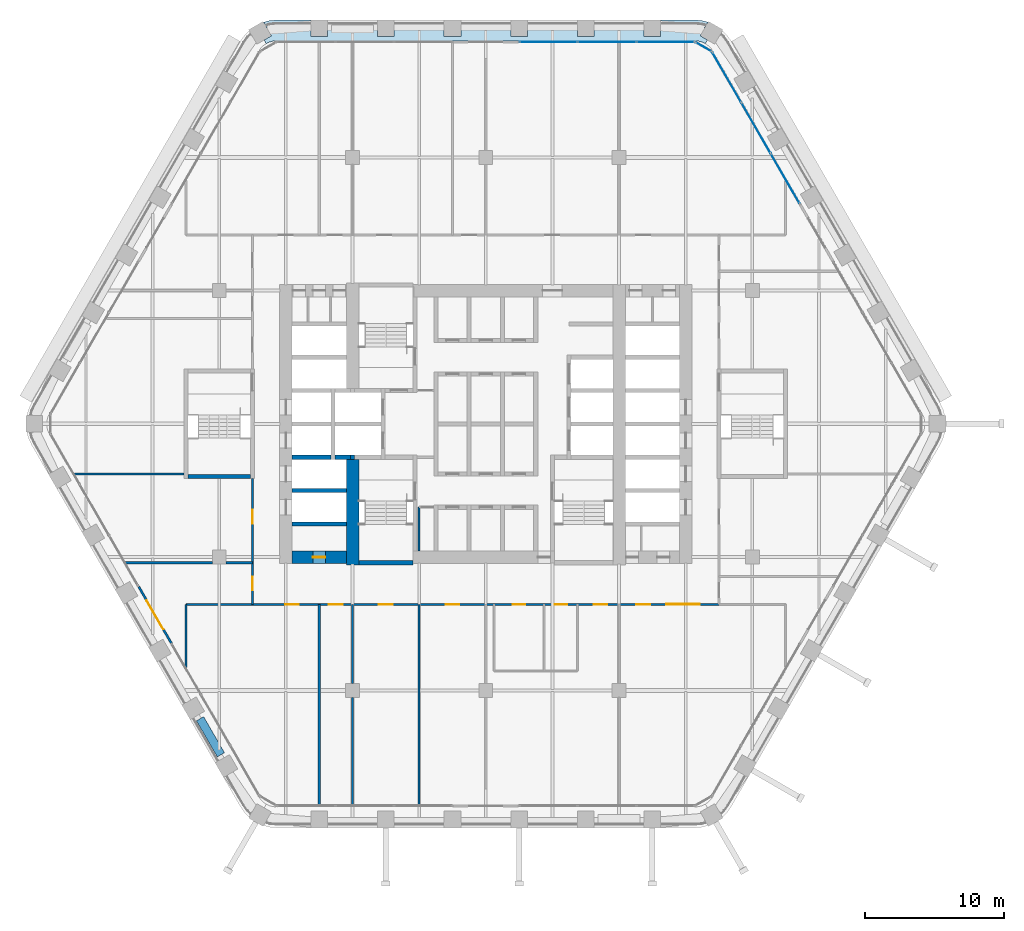
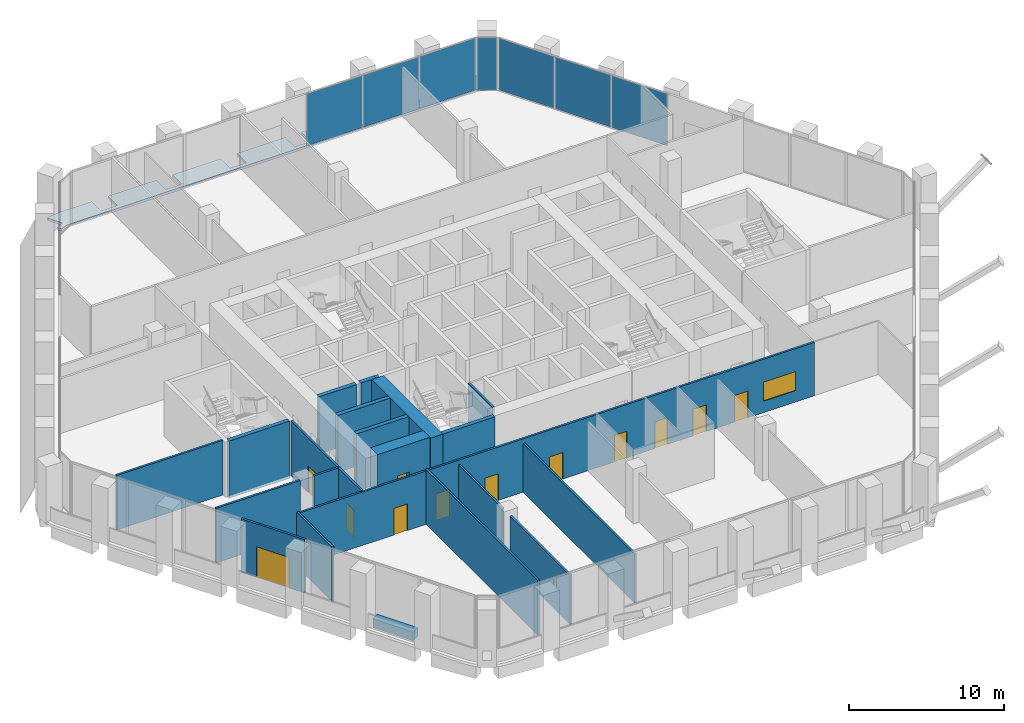
# One storey, part 13 of 24: 22 walls, 12 doors, 7 plates, 1 slab, 1 window, 13 openings, 3 elements without a shape of their own.
"""IFC4 building model written with IfcOpenShell, lengths in metres."""

from ifc_helpers import new_model, si_unit, direction, frame, frame_2d, origin, origin_2d, place, context, subcontext, project, spatial, polyline, rectangle, outline, extrude, material, layer, layer_set, type_object, element, fill, aggregate, save


model = new_model("IFC4")

# Units and contexts
model_context = context("Model", 3, precision=1e-05, world=origin(), true_north=direction((0.0, 1.0)))
body_context = subcontext(model_context, "Body", "Model", "MODEL_VIEW")
ifc_project = project(units=[si_unit("LENGTHUNIT", "METRE"), si_unit("AREAUNIT", "SQUARE_METRE"), si_unit("VOLUMEUNIT", "CUBIC_METRE"), si_unit("PLANEANGLEUNIT", "RADIAN"), si_unit("MASSUNIT", "GRAM", prefix="KILO")], contexts=[model_context])

# Site, building, storey
site_placement = place(None, origin())
site = spatial("IfcSite", under=ifc_project, at=site_placement, CompositionType="ELEMENT")
building_placement = place(site_placement, origin())
building = spatial("IfcBuilding", under=site, at=building_placement, Name="Kolab Exchange Tower", CompositionType="ELEMENT")
storey_placement = place(building_placement, frame((0.0, 0.0, 86.89990234375)))
storey = spatial("IfcBuildingStorey", under=building, at=storey_placement, Name="L16", CompositionType="ELEMENT", Elevation=86.89990234375)

# Slab
ifc_material_1 = material(Name="Concrete C35/45", Category="concrete")
ifc_layer_1 = layer(ifc_material_1, 0.199951171875)
ifc_layer_set_1 = layer_set([ifc_layer_1], Name="Concrete C35/45")
slab_type = type_object("IfcSlabType", Name="LOGGIA SLAB 200", PredefinedType="FLOOR", material=ifc_layer_set_1)
slab_placement = place(storey_placement, frame((0.0, 0.0, -0.199951171875)))
element("IfcSlab", 1, at=slab_placement, inside=storey, type_object=slab_type, Name="slab/L16/loggia/0-0", PredefinedType="FLOOR", context=body_context, shape_type="SweptSolid", body=[
    extrude(outline(polyline([(15.81787109375, 27.3974609375), (15.968017578125, 27.6572265625), (15.4482421875, 27.957275390625), (16.014892578125, 28.938720703125), (15.5888671875, 29.052978515625), (15.06787109375, 29.098388671875), (12.60009765625, 29.098388671875), (12.60009765625, 27.8984375), (11.39990234375, 27.8984375), (11.39990234375, 29.098388671875), (7.800048828125, 29.098388671875), (7.800048828125, 27.8984375), (6.60009765625, 27.8984375), (6.60009765625, 29.098388671875), (3.0, 29.098388671875), (3.0, 27.8984375), (1.800048828125, 27.8984375), (1.800048828125, 29.098388671875), (-1.800048828125, 29.098388671875), (-1.800048828125, 27.8984375), (-3.0, 27.8984375), (-3.0, 29.098388671875), (-6.60009765625, 29.098388671875), (-6.60009765625, 27.8984375), (-7.800048828125, 27.8984375), (-7.800048828125, 29.098388671875), (-11.39990234375, 29.098388671875), (-11.39990234375, 27.8984375), (-12.60009765625, 27.8984375), (-12.60009765625, 29.098388671875), (-15.06787109375, 29.098388671875), (-15.5888671875, 29.052978515625), (-16.014892578125, 28.938720703125), (-15.4482421875, 27.957275390625), (-15.968017578125, 27.6572265625), (-15.81787109375, 27.3974609375), (-15.5810546875, 27.508056640625), (-15.328369140625, 27.57568359375), (-15.06787109375, 27.598388671875), (15.06787109375, 27.598388671875), (15.328369140625, 27.57568359375), (15.5810546875, 27.508056640625), (15.81787109375, 27.3974609375)])), origin(), (0.0, 0.0, 1.0), 0.199951171875),
])

# Curtain wall, plates
ifc_material_2 = material(Name="Aluminium EN AW-6063 T6", Category="aluminium")
curtain_wall_type = type_object("IfcCurtainWallType", Name="UNITISED LOWER MID ZONE CURTAIN WALL", PredefinedType="NOTDEFINED", material=ifc_material_2)
curtain_wall_1_placement = place(storey_placement, origin())
curtain_wall_1 = element("IfcCurtainWall", 2, at=curtain_wall_1_placement, inside=storey, type_object=curtain_wall_type, Name="cw/L16/F1-2", PredefinedType="NOTDEFINED")
ifc_material_3 = material(Name="Clear insulated glazing unit", Category="glass")
ifc_layer_2 = layer(ifc_material_3, 0.02587890625)
ifc_layer_set_2 = layer_set([ifc_layer_2], Name="Clear insulated glazing unit")
plate_type = type_object("IfcPlateType", Name="UNITISED LOWER MID ZONE GLASS PANEL 26", PredefinedType="CURTAIN_PANEL", material=ifc_layer_set_2)
plate_1_placement = place(storey_placement, frame((4.5263671875, 27.5185546875, 0.06005859375), z_axis=(0.0, 0.0, 1.0), x_axis=(1.0, 0.0, 0.0)))
plate_1 = element("IfcPlate", 3, at=plate_1_placement, type_object=plate_type, Name="CW2 panel 1.1", PredefinedType="CURTAIN_PANEL", context=body_context, shape_type="SweptSolid", body=[
    extrude(rectangle(XDim=4.132568359375, YDim=0.02587890625, at=origin_2d()), origin(), (0.0, 0.0, 1.0), 4.080078125),
])
plate_2_placement = place(storey_placement, frame((8.73388671875, 27.5185546875, 0.06005859375), z_axis=(0.0, 0.0, 1.0), x_axis=(1.0, 0.0, 0.0)))
plate_2 = element("IfcPlate", 4, at=plate_2_placement, type_object=plate_type, Name="CW2 panel 2.1", PredefinedType="CURTAIN_PANEL", context=body_context, shape_type="SweptSolid", body=[
    extrude(rectangle(XDim=4.16259765625, YDim=0.02587890625, at=origin_2d()), origin(), (0.0, 0.0, 1.0), 4.080078125),
])
plate_3_placement = place(storey_placement, frame((12.941650390625, 27.5185546875, 0.06005859375), z_axis=(0.0, 0.0, 1.0), x_axis=(1.0, 0.0, 0.0)))
plate_3 = element("IfcPlate", 5, at=plate_3_placement, type_object=plate_type, Name="CW2 panel 3.1", PredefinedType="CURTAIN_PANEL", context=body_context, shape_type="SweptSolid", body=[
    extrude(rectangle(XDim=4.132568359375, YDim=0.02587890625, at=origin_2d()), origin(), (0.0, 0.0, 1.0), 4.080078125),
])
aggregate(curtain_wall_1, [plate_1, plate_2, plate_3])

curtain_wall_2_placement = place(storey_placement, origin())
curtain_wall_2 = element("IfcCurtainWall", 6, at=curtain_wall_2_placement, inside=storey, type_object=curtain_wall_type, Name="cw/L16/F2-1", PredefinedType="NOTDEFINED")
plate_4_placement = place(storey_placement, frame((17.36083984375, 24.967041015625, 0.06005859375), z_axis=(0.0, 0.0, 1.0), x_axis=(0.500000017564, -0.866025393644, 0.0)))
plate_4 = element("IfcPlate", 7, at=plate_4_placement, type_object=plate_type, Name="CW2 panel 1.1", PredefinedType="CURTAIN_PANEL", context=body_context, shape_type="SweptSolid", body=[
    extrude(rectangle(XDim=4.132568359375, YDim=0.02587890625, at=origin_2d()), origin(), (0.0, 0.0, 1.0), 4.080078125),
])
plate_5_placement = place(storey_placement, frame((19.464599609375, 21.322998046875, 0.06005859375), z_axis=(0.0, 0.0, 1.0), x_axis=(0.500000017564, -0.866025393644, 0.0)))
plate_5 = element("IfcPlate", 8, at=plate_5_placement, type_object=plate_type, Name="CW2 panel 2.1", PredefinedType="CURTAIN_PANEL", context=body_context, shape_type="SweptSolid", body=[
    extrude(rectangle(XDim=4.16259765625, YDim=0.02587890625, at=origin_2d()), origin(), (0.0, 0.0, 1.0), 4.080078125),
])
plate_6_placement = place(storey_placement, frame((21.568603515625, 17.67919921875, 0.06005859375), z_axis=(0.0, 0.0, 1.0), x_axis=(0.500000017564, -0.866025393644, 0.0)))
plate_6 = element("IfcPlate", 9, at=plate_6_placement, type_object=plate_type, Name="CW2 panel 3.1", PredefinedType="CURTAIN_PANEL", context=body_context, shape_type="SweptSolid", body=[
    extrude(rectangle(XDim=4.132568359375, YDim=0.02587890625, at=origin_2d()), origin(), (0.0, 0.0, 1.0), 4.080078125),
])
aggregate(curtain_wall_2, [plate_4, plate_5, plate_6])

# Curtain wall, plate
curtain_wall_3_placement = place(storey_placement, origin())
curtain_wall_3 = element("IfcCurtainWall", 10, at=curtain_wall_3_placement, inside=storey, type_object=curtain_wall_type, Name="cw/L16/F1F2-corner", PredefinedType="NOTDEFINED")
plate_7_placement = place(storey_placement, frame((15.682861328125, 27.16357421875, 0.06005859375), z_axis=(0.0, 0.0, 1.0), x_axis=(0.866025390869, -0.50000002237, 0.0)))
plate_7 = element("IfcPlate", 11, at=plate_7_placement, type_object=plate_type, Name="CW2 panel 1.1", PredefinedType="CURTAIN_PANEL", context=body_context, shape_type="SweptSolid", body=[
    extrude(rectangle(XDim=1.300048828125, YDim=0.02587890625, at=origin_2d()), origin(), (0.0, 0.0, 1.0), 4.080078125),
])
aggregate(curtain_wall_3, [plate_7])

# Wall, opening, door
ifc_material_4 = material(Name="Concrete C70/85", Category="concrete")
ifc_layer_3 = layer(ifc_material_4, 0.89990234375)
ifc_layer_set_3 = layer_set([ifc_layer_3], Name="Concrete C70/85")
wall_type_1 = type_object("IfcWallType", Name="CORE WALL 900 C70/85", PredefinedType="SHEAR", material=ifc_layer_set_3)
wall_1_placement = place(storey_placement, frame((-13.949951171875, -9.60009765625, -0.199951171875), z_axis=(0.0, 0.0, 1.0), x_axis=(1.0, 0.0, 0.0)))
wall_1 = element("IfcWall", 12, at=wall_1_placement, inside=storey, type_object=wall_type_1, Name="wall/L16/core/002", PredefinedType="SHEAR", context=body_context, shape_type="SweptSolid", body=[
    extrude(rectangle(XDim=3.89990234375, YDim=0.89990234375, at=frame_2d((1.949951171875, 0.0))), origin(), (0.0, 0.0, 1.0), 4.5),
])
opening_1_placement = place(wall_1_placement, frame((1.5, 0.0, 0.199951171875)))
opening_1 = element("IfcOpeningElement", 13, at=opening_1_placement, cuts=wall_1, Name="Opening D6-221", PredefinedType="OPENING", context=body_context, shape_type="SweptSolid", body=[
    extrude(rectangle(XDim=0.89990234375, YDim=2.10009765625, at=frame_2d((0.449951171875, 1.050048828125))), frame((0.0, 0.4599609375, 0.0), z_axis=(0.0, -1.0, 0.0), x_axis=(1.0, 0.0, 0.0)), (0.0, 0.0, 1.0), 0.919921875),
])
ifc_material_5 = material(Name="Steel S235", Category="steel")
door_type_1 = type_object("IfcDoorType", Name="CORE DOOR 900 EI 120", OperationType="SINGLE_SWING_LEFT", PredefinedType="DOOR", material=ifc_material_5)
door_1_placement = place(opening_1_placement, origin())
door_1 = element("IfcDoor", 14, at=door_1_placement, inside=storey, type_object=door_type_1, Name="Service room door", OperationType="SINGLE_SWING_LEFT", OverallHeight=2.10009765625, OverallWidth=0.89990234375, PredefinedType="DOOR", context=body_context, shape_type="SweptSolid", body=[
    extrude(rectangle(XDim=0.89990234375, YDim=2.10009765625, at=frame_2d((0.449951171875, 1.050048828125))), frame((0.0, 0.02490234375, 0.0), z_axis=(0.0, -1.0, 0.0), x_axis=(1.0, 0.0, 0.0)), (0.0, 0.0, 1.0), 0.050048828125),
])
fill(opening_1, door_1)

# Wall
wall_2_placement = place(storey_placement, frame((-9.60009765625, -10.14990234375, -0.199951171875), z_axis=(0.0, 0.0, 1.0), x_axis=(0.0, 1.0, 0.0)))
element("IfcWall", 15, at=wall_2_placement, inside=storey, type_object=wall_type_1, Name="wall/L16/core/059", PredefinedType="SHEAR", context=body_context, shape_type="SweptSolid", body=[
    extrude(rectangle(XDim=7.599853515625, YDim=0.89990234375, at=frame_2d((3.7998046875, 0.0))), origin(), (0.0, 0.0, 1.0), 4.5),
])

# Wall, opening, door
ifc_layer_4 = layer(ifc_material_2, 0.159912109375)
ifc_layer_set_4 = layer_set([ifc_layer_4], Name="Aluminium EN AW-6063 T6")
wall_type_2 = type_object("IfcWallType", Name="DOOR SURROUND WALL 160 ALUMINIUM FRAMED", PredefinedType="PARTITIONING", material=ifc_layer_set_4)
wall_3_placement = place(storey_placement, frame((-22.646728515625, -15.811767578125, 0.0), z_axis=(0.0, 0.0, 1.0), x_axis=(-0.499978080042, 0.866038058908, 0.0)))
wall_3 = element("IfcWall", 16, at=wall_3_placement, inside=storey, type_object=wall_type_2, Name="Door surround wall", PredefinedType="PARTITIONING", context=body_context, shape_type="SweptSolid", body=[
    extrude(rectangle(XDim=4.739990234375, YDim=0.159912109375, at=frame_2d((2.3701171875, 0.0))), origin(), (0.0, 0.0, 1.0), 4.2001953125),
])
opening_2_placement = place(wall_3_placement, frame((1.169921875, 0.0, 0.0)))
opening_2 = element("IfcOpeningElement", 17, at=opening_2_placement, cuts=wall_3, Name="Opening GD1-047", PredefinedType="OPENING", context=body_context, shape_type="SweptSolid", body=[
    extrude(rectangle(XDim=2.39990234375, YDim=2.39990234375, at=frame_2d((1.199951171875, 1.199951171875))), frame((0.0, 0.08984375, 0.0), z_axis=(0.0, -1.0, 0.0), x_axis=(1.0, 0.0, 0.0)), (0.0, 0.0, 1.0), 0.179931640625),
])
door_type_2 = type_object("IfcDoorType", Name="LOGGIA SLIDING GLASS DOOR 2400 X 2400", OperationType="DOUBLE_DOOR_SINGLE_SWING", PredefinedType="DOOR", material=ifc_material_2)
door_2_placement = place(opening_2_placement, origin())
door_2 = element("IfcDoor", 18, at=door_2_placement, inside=storey, type_object=door_type_2, Name="Loggia door", OperationType="DOUBLE_DOOR_SLIDING", OverallHeight=2.39990234375, OverallWidth=2.39990234375, PredefinedType="DOOR", context=body_context, shape_type="SweptSolid", body=[
    extrude(rectangle(XDim=2.39990234375, YDim=2.39990234375, at=frame_2d((1.199951171875, 1.199951171875))), frame((0.0, 0.02490234375, 0.0), z_axis=(0.0, -1.0, 0.0), x_axis=(1.0, 0.0, 0.0)), (0.0, 0.0, 1.0), 0.050048828125),
])
fill(opening_2, door_2)

# Walls
ifc_material_6 = material(Name="Concrete C50/60", Category="concrete")
ifc_layer_5 = layer(ifc_material_6, 0.300048828125)
ifc_layer_set_5 = layer_set([ifc_layer_5], Name="Concrete C50/60")
wall_type_3 = type_object("IfcWallType", Name="LIFT SHAFT WALL 300 C50/60", PredefinedType="STANDARD", material=ifc_layer_set_5)
for number, where, z_axis, x_axis, name in (
    (19, (-13.949951171875, -7.199951171875, -0.199951171875), (0.0, 0.0, 1.0), (1.0, 0.0, 0.0), "wall/L16/core/005"),
    (20, (-13.949951171875, -4.800048828125, -0.199951171875), (0.0, 0.0, 1.0), (1.0, 0.0, 0.0), "wall/L16/core/010"),
):
    element("IfcWall", number, at=place(storey_placement, frame(where, z_axis=z_axis, x_axis=x_axis)), inside=storey, type_object=wall_type_3, Name=name, PredefinedType="STANDARD", context=body_context, shape_type="SweptSolid", body=[
        extrude(rectangle(XDim=3.89990234375, YDim=0.300048828125, at=frame_2d((1.949951171875, 0.0))), origin(), (0.0, 0.0, 1.0), 4.5),
    ])
wall_4_placement = place(storey_placement, frame((-13.949951171875, -2.39990234375, -0.199951171875), z_axis=(0.0, 0.0, 1.0), x_axis=(1.0, 0.0, 0.0)))
element("IfcWall", 21, at=wall_4_placement, inside=storey, type_object=wall_type_3, Name="wall/L16/core/017", PredefinedType="STANDARD", context=body_context, shape_type="SweptSolid", body=[
    extrude(rectangle(XDim=2.800048828125, YDim=0.300048828125, at=frame_2d((1.39990234375, 0.0))), origin(), (0.0, 0.0, 1.0), 4.5),
])
wall_5_placement = place(storey_placement, frame((-10.85009765625, -2.39990234375, -0.199951171875), z_axis=(0.0, 0.0, 1.0), x_axis=(1.0, 0.0, 0.0)))
element("IfcWall", 22, at=wall_5_placement, inside=storey, type_object=wall_type_3, Name="wall/L16/core/018", PredefinedType="STANDARD", context=body_context, shape_type="SweptSolid", body=[
    extrude(rectangle(XDim=1.10009765625, YDim=0.300048828125, at=frame_2d((0.550048828125, 0.0))), origin(), (0.0, 0.0, 1.0), 4.5),
])
ifc_material_7 = material(Name="Gypsum board", Category="gypsum")
ifc_layer_6 = layer(ifc_material_7, 0.14990234375)
ifc_layer_set_6 = layer_set([ifc_layer_6], Name="Gypsum board")
wall_type_4 = type_object("IfcWallType", Name="PARTITION 150 FIRE-RATED", PredefinedType="PARTITIONING", material=ifc_layer_set_6)
wall_6_placement = place(storey_placement, frame((-4.800048828125, -27.428466796875, 0.0), z_axis=(0.0, 0.0, 1.0), x_axis=(0.0, 1.0, 0.0)))
element("IfcWall", 23, at=wall_6_placement, inside=storey, type_object=wall_type_4, Name="Partition 018", PredefinedType="PARTITIONING", context=body_context, shape_type="SweptSolid", body=[
    extrude(rectangle(XDim=14.428466796875, YDim=0.14990234375, at=frame_2d((7.21435546875, 0.0))), origin(), (0.0, 0.0, 1.0), 3.843017578125),
])
wall_7_placement = place(storey_placement, frame((-4.800048828125, -9.14990234375, 0.0), z_axis=(0.0, 0.0, 1.0), x_axis=(0.0, 1.0, 0.0)))
element("IfcWall", 24, at=wall_7_placement, inside=storey, type_object=wall_type_4, Name="Partition 019", PredefinedType="PARTITIONING", context=body_context, shape_type="SweptSolid", body=[
    extrude(rectangle(XDim=3.14990234375, YDim=0.14990234375, at=frame_2d((1.574951171875, 0.0))), origin(), (0.0, 0.0, 1.0), 4.300048828125),
])
wall_8_placement = place(storey_placement, frame((-9.60009765625, -27.428466796875, 0.0), z_axis=(0.0, 0.0, 1.0), x_axis=(0.0, 1.0, 0.0)))
element("IfcWall", 25, at=wall_8_placement, inside=storey, type_object=wall_type_4, Name="Partition 022", PredefinedType="PARTITIONING", context=body_context, shape_type="SweptSolid", body=[
    extrude(rectangle(XDim=7.728515625, YDim=0.14990234375, at=frame_2d((3.8642578125, 0.0))), origin(), (0.0, 0.0, 1.0), 3.843017578125),
])
wall_9_placement = place(storey_placement, frame((-9.60009765625, -18.699951171875, 0.0), z_axis=(0.0, 0.0, 1.0), x_axis=(0.0, 1.0, 0.0)))
element("IfcWall", 26, at=wall_9_placement, inside=storey, type_object=wall_type_4, Name="Partition 023", PredefinedType="PARTITIONING", context=body_context, shape_type="SweptSolid", body=[
    extrude(rectangle(XDim=5.699951171875, YDim=0.14990234375, at=frame_2d((2.85009765625, 0.0))), origin(), (0.0, 0.0, 1.0), 3.843017578125),
])
wall_10_placement = place(storey_placement, frame((-12.0, -27.428466796875, 0.0), z_axis=(0.0, 0.0, 1.0), x_axis=(0.0, 1.0, 0.0)))
element("IfcWall", 27, at=wall_10_placement, inside=storey, type_object=wall_type_4, Name="Partition 025", PredefinedType="PARTITIONING", context=body_context, shape_type="SweptSolid", body=[
    extrude(rectangle(XDim=14.428466796875, YDim=0.14990234375, at=frame_2d((7.21435546875, 0.0))), origin(), (0.0, 0.0, 1.0), 4.300048828125),
])

# Wall, openings, doors
wall_11_placement = place(storey_placement, frame((-16.800048828125, -13.0, 0.0), z_axis=(0.0, 0.0, 1.0), x_axis=(0.0, 1.0, 0.0)))
wall_11 = element("IfcWall", 28, at=wall_11_placement, inside=storey, type_object=wall_type_4, Name="Partition 028", PredefinedType="PARTITIONING", context=body_context, shape_type="SweptSolid", body=[
    extrude(rectangle(XDim=9.050048828125, YDim=0.14990234375, at=frame_2d((4.52490234375, 0.0))), origin(), (0.0, 0.0, 1.0), 4.300048828125),
])
opening_3_placement = place(wall_11_placement, frame((1.0, 0.0, 0.0)))
opening_3 = element("IfcOpeningElement", 29, at=opening_3_placement, cuts=wall_11, Name="Opening D1-216", PredefinedType="OPENING", context=body_context, shape_type="SweptSolid", body=[
    extrude(rectangle(XDim=1.0, YDim=2.10009765625, at=frame_2d((0.5, 1.050048828125))), frame((0.0, 0.0849609375, 0.0), z_axis=(0.0, -1.0, 0.0), x_axis=(1.0, 0.0, 0.0)), (0.0, 0.0, 1.0), 0.169921875),
])
opening_4_placement = place(wall_11_placement, frame((5.800048828125, 0.0, 0.0)))
opening_4 = element("IfcOpeningElement", 30, at=opening_4_placement, cuts=wall_11, Name="Opening D1-217", PredefinedType="OPENING", context=body_context, shape_type="SweptSolid", body=[
    extrude(rectangle(XDim=1.0, YDim=2.10009765625, at=frame_2d((0.5, 1.050048828125))), frame((0.0, 0.0849609375, 0.0), z_axis=(0.0, -1.0, 0.0), x_axis=(1.0, 0.0, 0.0)), (0.0, 0.0, 1.0), 0.169921875),
])
door_type_3 = type_object("IfcDoorType", Name="FLUSH DOOR 1000 FD60", OperationType="SINGLE_SWING_LEFT", PredefinedType="DOOR", material=ifc_material_5)
door_3_placement = place(opening_3_placement, origin())
door_3 = element("IfcDoor", 31, at=door_3_placement, inside=storey, type_object=door_type_3, Name="Door L16-064", OperationType="SINGLE_SWING_LEFT", OverallHeight=2.10009765625, OverallWidth=1.0, PredefinedType="DOOR", context=body_context, shape_type="SweptSolid", body=[
    extrude(rectangle(XDim=1.0, YDim=2.10009765625, at=frame_2d((0.5, 1.050048828125))), frame((0.0, 0.02490234375, 0.0), z_axis=(0.0, -1.0, 0.0), x_axis=(1.0, 0.0, 0.0)), (0.0, 0.0, 1.0), 0.050048828125),
])
fill(opening_3, door_3)
door_4_placement = place(opening_4_placement, origin())
door_4 = element("IfcDoor", 32, at=door_4_placement, inside=storey, type_object=door_type_3, Name="Door L16-065", OperationType="SINGLE_SWING_RIGHT", OverallHeight=2.10009765625, OverallWidth=1.0, PredefinedType="DOOR", context=body_context, shape_type="SweptSolid", body=[
    extrude(rectangle(XDim=1.0, YDim=2.10009765625, at=frame_2d((0.5, 1.050048828125))), frame((0.0, 0.02490234375, 0.0), z_axis=(0.0, -1.0, 0.0), x_axis=(1.0, 0.0, 0.0)), (0.0, 0.0, 1.0), 0.050048828125),
])
fill(opening_4, door_4)

# Wall
wall_12_placement = place(storey_placement, frame((-21.60009765625, -17.544677734375, 0.0), z_axis=(0.0, 0.0, 1.0), x_axis=(0.0, 1.0, 0.0)))
element("IfcWall", 33, at=wall_12_placement, inside=storey, type_object=wall_type_4, Name="Partition 030", PredefinedType="PARTITIONING", context=body_context, shape_type="SweptSolid", body=[
    extrude(rectangle(XDim=4.544677734375, YDim=0.14990234375, at=frame_2d((2.2724609375, 0.0))), origin(), (0.0, 0.0, 1.0), 4.300048828125),
])

# Wall, openings, doors, window
wall_13_placement = place(storey_placement, frame((-21.60009765625, -13.0, 0.0), z_axis=(0.0, 0.0, 1.0), x_axis=(1.0, 0.0, 0.0)))
wall_13 = element("IfcWall", 34, at=wall_13_placement, inside=storey, type_object=wall_type_4, Name="Partition 034", PredefinedType="PARTITIONING", context=body_context, shape_type="SweptSolid", body=[
    extrude(rectangle(XDim=38.400146484375, YDim=0.14990234375, at=frame_2d((19.2001953125, 0.0))), origin(), (0.0, 0.0, 1.0), 4.2001953125),
])
opening_5_placement = place(wall_13_placement, frame((7.135009765625, 0.0, 0.0)))
opening_5 = element("IfcOpeningElement", 35, at=opening_5_placement, cuts=wall_13, Name="Opening D1-229", PredefinedType="OPENING", context=body_context, shape_type="SweptSolid", body=[
    extrude(rectangle(XDim=1.0, YDim=2.10009765625, at=frame_2d((0.5, 1.050048828125))), frame((0.0, 0.0849609375, 0.0), z_axis=(0.0, -1.0, 0.0), x_axis=(1.0, 0.0, 0.0)), (0.0, 0.0, 1.0), 0.169921875),
])
opening_6_placement = place(wall_13_placement, frame((10.300048828125, 0.0, 0.0)))
opening_6 = element("IfcOpeningElement", 36, at=opening_6_placement, cuts=wall_13, Name="Opening D1-230", PredefinedType="OPENING", context=body_context, shape_type="SweptSolid", body=[
    extrude(rectangle(XDim=1.0, YDim=2.10009765625, at=frame_2d((0.5, 1.050048828125))), frame((0.0, 0.0849609375, 0.0), z_axis=(0.0, -1.0, 0.0), x_axis=(1.0, 0.0, 0.0)), (0.0, 0.0, 1.0), 0.169921875),
])
opening_7_placement = place(wall_13_placement, frame((13.89990234375, 0.0, 0.0)))
opening_7 = element("IfcOpeningElement", 37, at=opening_7_placement, cuts=wall_13, Name="Opening D1-231", PredefinedType="OPENING", context=body_context, shape_type="SweptSolid", body=[
    extrude(rectangle(XDim=1.0, YDim=2.10009765625, at=frame_2d((0.5, 1.050048828125))), frame((0.0, 0.0849609375, 0.0), z_axis=(0.0, -1.0, 0.0), x_axis=(1.0, 0.0, 0.0)), (0.0, 0.0, 1.0), 0.169921875),
])
opening_8_placement = place(wall_13_placement, frame((18.699951171875, 0.0, 0.0)))
opening_8 = element("IfcOpeningElement", 38, at=opening_8_placement, cuts=wall_13, Name="Opening D1-232", PredefinedType="OPENING", context=body_context, shape_type="SweptSolid", body=[
    extrude(rectangle(XDim=1.0, YDim=2.10009765625, at=frame_2d((0.5, 1.050048828125))), frame((0.0, 0.0849609375, 0.0), z_axis=(0.0, -1.0, 0.0), x_axis=(1.0, 0.0, 0.0)), (0.0, 0.0, 1.0), 0.169921875),
])
opening_9_placement = place(wall_13_placement, frame((29.364990234375, 0.0, 0.0)))
opening_9 = element("IfcOpeningElement", 39, at=opening_9_placement, cuts=wall_13, Name="Opening D1-233", PredefinedType="OPENING", context=body_context, shape_type="SweptSolid", body=[
    extrude(rectangle(XDim=1.0, YDim=2.10009765625, at=frame_2d((0.5, 1.050048828125))), frame((0.0, 0.0849609375, 0.0), z_axis=(0.0, -1.0, 0.0), x_axis=(1.0, 0.0, 0.0)), (0.0, 0.0, 1.0), 0.169921875),
])
opening_10_placement = place(wall_13_placement, frame((32.445068359375, 0.0, 0.0)))
opening_10 = element("IfcOpeningElement", 40, at=opening_10_placement, cuts=wall_13, Name="Opening D1-234", PredefinedType="OPENING", context=body_context, shape_type="SweptSolid", body=[
    extrude(rectangle(XDim=1.0, YDim=2.10009765625, at=frame_2d((0.5, 1.050048828125))), frame((0.0, 0.0849609375, 0.0), z_axis=(0.0, -1.0, 0.0), x_axis=(1.0, 0.0, 0.0)), (0.0, 0.0, 1.0), 0.169921875),
])
opening_11_placement = place(wall_13_placement, frame((23.550048828125, 0.0, 0.0)))
opening_11 = element("IfcOpeningElement", 41, at=opening_11_placement, cuts=wall_13, Name="Opening D3-021", PredefinedType="OPENING", context=body_context, shape_type="SweptSolid", body=[
    extrude(rectangle(XDim=0.89990234375, YDim=2.10009765625, at=frame_2d((0.449951171875, 1.050048828125))), frame((0.0, 0.0849609375, 0.0), z_axis=(0.0, -1.0, 0.0), x_axis=(1.0, 0.0, 0.0)), (0.0, 0.0, 1.0), 0.169921875),
])
opening_12_placement = place(wall_13_placement, frame((26.550048828125, 0.0, 0.0)))
opening_12 = element("IfcOpeningElement", 42, at=opening_12_placement, cuts=wall_13, Name="Opening D3-022", PredefinedType="OPENING", context=body_context, shape_type="SweptSolid", body=[
    extrude(rectangle(XDim=0.89990234375, YDim=2.10009765625, at=frame_2d((0.449951171875, 1.050048828125))), frame((0.0, 0.0849609375, 0.0), z_axis=(0.0, -1.0, 0.0), x_axis=(1.0, 0.0, 0.0)), (0.0, 0.0, 1.0), 0.169921875),
])
opening_13_placement = place(wall_13_placement, frame((34.60009765625, 0.0, 0.89990234375)))
opening_13 = element("IfcOpeningElement", 43, at=opening_13_placement, cuts=wall_13, Name="Opening W2-003", PredefinedType="OPENING", context=body_context, shape_type="SweptSolid", body=[
    extrude(rectangle(XDim=2.39990234375, YDim=1.5, at=frame_2d((1.199951171875, 0.75))), frame((0.0, 0.0849609375, 0.0), z_axis=(0.0, -1.0, 0.0), x_axis=(1.0, 0.0, 0.0)), (0.0, 0.0, 1.0), 0.169921875),
])
door_5_placement = place(opening_5_placement, frame((1.0, 0.0, 0.0), z_axis=(0.0, 0.0, 1.0), x_axis=(-1.0, 0.0, 0.0)))
door_5 = element("IfcDoor", 44, at=door_5_placement, inside=storey, type_object=door_type_3, Name="Door L16-054", OperationType="SINGLE_SWING_RIGHT", OverallHeight=2.10009765625, OverallWidth=1.0, PredefinedType="DOOR", context=body_context, shape_type="SweptSolid", body=[
    extrude(rectangle(XDim=1.0, YDim=2.10009765625, at=frame_2d((0.5, 1.050048828125))), frame((0.0, 0.02490234375, 0.0), z_axis=(0.0, -1.0, 0.0), x_axis=(1.0, 0.0, 0.0)), (0.0, 0.0, 1.0), 0.050048828125),
])
fill(opening_5, door_5)
door_6_placement = place(opening_6_placement, frame((1.0, 0.0, 0.0), z_axis=(0.0, 0.0, 1.0), x_axis=(-1.0, 0.0, 0.0)))
door_6 = element("IfcDoor", 45, at=door_6_placement, inside=storey, type_object=door_type_3, Name="Door L16-055", OperationType="SINGLE_SWING_LEFT", OverallHeight=2.10009765625, OverallWidth=1.0, PredefinedType="DOOR", context=body_context, shape_type="SweptSolid", body=[
    extrude(rectangle(XDim=1.0, YDim=2.10009765625, at=frame_2d((0.5, 1.050048828125))), frame((0.0, 0.02490234375, 0.0), z_axis=(0.0, -1.0, 0.0), x_axis=(1.0, 0.0, 0.0)), (0.0, 0.0, 1.0), 0.050048828125),
])
fill(opening_6, door_6)
door_7_placement = place(opening_7_placement, frame((1.0, 0.0, 0.0), z_axis=(0.0, 0.0, 1.0), x_axis=(-1.0, 0.0, 0.0)))
door_7 = element("IfcDoor", 46, at=door_7_placement, inside=storey, type_object=door_type_3, Name="Door L16-056", OperationType="SINGLE_SWING_LEFT", OverallHeight=2.10009765625, OverallWidth=1.0, PredefinedType="DOOR", context=body_context, shape_type="SweptSolid", body=[
    extrude(rectangle(XDim=1.0, YDim=2.10009765625, at=frame_2d((0.5, 1.050048828125))), frame((0.0, 0.02490234375, 0.0), z_axis=(0.0, -1.0, 0.0), x_axis=(1.0, 0.0, 0.0)), (0.0, 0.0, 1.0), 0.050048828125),
])
fill(opening_7, door_7)
door_8_placement = place(opening_8_placement, frame((1.0, 0.0, 0.0), z_axis=(0.0, 0.0, 1.0), x_axis=(-1.0, 0.0, 0.0)))
door_8 = element("IfcDoor", 47, at=door_8_placement, inside=storey, type_object=door_type_3, Name="Door L16-057", OperationType="SINGLE_SWING_LEFT", OverallHeight=2.10009765625, OverallWidth=1.0, PredefinedType="DOOR", context=body_context, shape_type="SweptSolid", body=[
    extrude(rectangle(XDim=1.0, YDim=2.10009765625, at=frame_2d((0.5, 1.050048828125))), frame((0.0, 0.02490234375, 0.0), z_axis=(0.0, -1.0, 0.0), x_axis=(1.0, 0.0, 0.0)), (0.0, 0.0, 1.0), 0.050048828125),
])
fill(opening_8, door_8)
door_9_placement = place(opening_9_placement, frame((1.0, 0.0, 0.0), z_axis=(0.0, 0.0, 1.0), x_axis=(-1.0, 0.0, 0.0)))
door_9 = element("IfcDoor", 48, at=door_9_placement, inside=storey, type_object=door_type_3, Name="Door L16-058", OperationType="SINGLE_SWING_RIGHT", OverallHeight=2.10009765625, OverallWidth=1.0, PredefinedType="DOOR", context=body_context, shape_type="SweptSolid", body=[
    extrude(rectangle(XDim=1.0, YDim=2.10009765625, at=frame_2d((0.5, 1.050048828125))), frame((0.0, 0.02490234375, 0.0), z_axis=(0.0, -1.0, 0.0), x_axis=(1.0, 0.0, 0.0)), (0.0, 0.0, 1.0), 0.050048828125),
])
fill(opening_9, door_9)
door_10_placement = place(opening_10_placement, frame((1.0, 0.0, 0.0), z_axis=(0.0, 0.0, 1.0), x_axis=(-1.0, 0.0, 0.0)))
door_10 = element("IfcDoor", 49, at=door_10_placement, inside=storey, type_object=door_type_3, Name="Door L16-059", OperationType="SINGLE_SWING_LEFT", OverallHeight=2.10009765625, OverallWidth=1.0, PredefinedType="DOOR", context=body_context, shape_type="SweptSolid", body=[
    extrude(rectangle(XDim=1.0, YDim=2.10009765625, at=frame_2d((0.5, 1.050048828125))), frame((0.0, 0.02490234375, 0.0), z_axis=(0.0, -1.0, 0.0), x_axis=(1.0, 0.0, 0.0)), (0.0, 0.0, 1.0), 0.050048828125),
])
fill(opening_10, door_10)
door_type_4 = type_object("IfcDoorType", Name="FLUSH DOOR 900 FD60", OperationType="SINGLE_SWING_LEFT", PredefinedType="DOOR", material=ifc_material_5)
door_11_placement = place(opening_11_placement, frame((0.89990234375, 0.0, 0.0), z_axis=(0.0, 0.0, 1.0), x_axis=(-1.0, 0.0, 0.0)))
door_11 = element("IfcDoor", 50, at=door_11_placement, inside=storey, type_object=door_type_4, Name="Door L16-069", OperationType="SINGLE_SWING_LEFT", OverallHeight=2.10009765625, OverallWidth=0.89990234375, PredefinedType="DOOR", context=body_context, shape_type="SweptSolid", body=[
    extrude(rectangle(XDim=0.89990234375, YDim=2.10009765625, at=frame_2d((0.449951171875, 1.050048828125))), frame((0.0, 0.02490234375, 0.0), z_axis=(0.0, -1.0, 0.0), x_axis=(1.0, 0.0, 0.0)), (0.0, 0.0, 1.0), 0.050048828125),
])
fill(opening_11, door_11)
door_12_placement = place(opening_12_placement, frame((0.89990234375, 0.0, 0.0), z_axis=(0.0, 0.0, 1.0), x_axis=(-1.0, 0.0, 0.0)))
door_12 = element("IfcDoor", 51, at=door_12_placement, inside=storey, type_object=door_type_4, Name="Door L16-070", OperationType="SINGLE_SWING_LEFT", OverallHeight=2.10009765625, OverallWidth=0.89990234375, PredefinedType="DOOR", context=body_context, shape_type="SweptSolid", body=[
    extrude(rectangle(XDim=0.89990234375, YDim=2.10009765625, at=frame_2d((0.449951171875, 1.050048828125))), frame((0.0, 0.02490234375, 0.0), z_axis=(0.0, -1.0, 0.0), x_axis=(1.0, 0.0, 0.0)), (0.0, 0.0, 1.0), 0.050048828125),
])
fill(opening_12, door_12)
ifc_material_8 = material(Name="Fire-rated glazing", Category="glass")
window_type = type_object("IfcWindowType", Name="VIEWING WINDOW 2400 X 1500 EI 60", PartitioningType="SINGLE_PANEL", PredefinedType="WINDOW", material=ifc_material_8)
window_placement = place(opening_13_placement, origin())
window = element("IfcWindow", 52, at=window_placement, inside=storey, type_object=window_type, Name="Viewing window L16-2", OverallHeight=1.5, OverallWidth=2.39990234375, PartitioningType="SINGLE_PANEL", PredefinedType="WINDOW", context=body_context, shape_type="SweptSolid", body=[
    extrude(rectangle(XDim=2.39990234375, YDim=1.5, at=frame_2d((1.199951171875, 0.75))), frame((0.0, 0.030029296875, 0.0), z_axis=(0.0, -1.0, 0.0), x_axis=(1.0, 0.0, 0.0)), (0.0, 0.0, 1.0), 0.06005859375),
])
fill(opening_13, window)

# Walls
wall_14_placement = place(storey_placement, frame((-25.955810546875, -10.0, 0.0), z_axis=(0.0, 0.0, 1.0), x_axis=(1.0, 0.0, 0.0)))
element("IfcWall", 53, at=wall_14_placement, inside=storey, type_object=wall_type_4, Name="Partition 036", PredefinedType="PARTITIONING", context=body_context, shape_type="SweptSolid", body=[
    extrude(rectangle(XDim=6.255859375, YDim=0.14990234375, at=frame_2d((3.1279296875, 0.0))), origin(), (0.0, 0.0, 1.0), 4.300048828125),
])
wall_15_placement = place(storey_placement, frame((-18.699951171875, -10.0, 0.0), z_axis=(0.0, 0.0, 1.0), x_axis=(1.0, 0.0, 0.0)))
element("IfcWall", 54, at=wall_15_placement, inside=storey, type_object=wall_type_4, Name="Partition 037", PredefinedType="PARTITIONING", context=body_context, shape_type="SweptSolid", body=[
    extrude(rectangle(XDim=1.89990234375, YDim=0.14990234375, at=frame_2d((0.949951171875, 0.0))), origin(), (0.0, 0.0, 1.0), 4.300048828125),
])
wall_16_placement = place(storey_placement, frame((-29.65087890625, -3.60009765625, 0.0), z_axis=(0.0, 0.0, 1.0), x_axis=(1.0, 0.0, 0.0)))
element("IfcWall", 55, at=wall_16_placement, inside=storey, type_object=wall_type_4, Name="Partition 039", PredefinedType="PARTITIONING", context=body_context, shape_type="SweptSolid", body=[
    extrude(rectangle(XDim=7.90087890625, YDim=0.14990234375, at=frame_2d((3.950439453125, 0.0))), origin(), (0.0, 0.0, 1.0), 4.300048828125),
])
ifc_material_9 = material(Name="Granite facing", Category="masonry")
ifc_layer_7 = layer(ifc_material_9, 0.0400390625)
ifc_material_10 = material(Name="Concrete C40/50 precast", Category="concrete")
ifc_layer_8 = layer(ifc_material_10, 0.56005859375)
ifc_layer_set_7 = layer_set([ifc_layer_7, ifc_layer_8], Name="Concrete C40/50 precast")
wall_type_5 = type_object("IfcWallType", Name="PLANTER BOX 600 X 700 SOIL DEPTH 550", PredefinedType="USERDEFINED", material=ifc_layer_set_7)
wall_17_placement = place(storey_placement, frame((-19.087158203125, -23.837158203125, 0.0), z_axis=(0.0, 0.0, 1.0), x_axis=(-0.499990139034, 0.866031096941, 0.0)))
element("IfcWall", 56, at=wall_17_placement, inside=storey, type_object=wall_type_5, Name="Planter", ObjectType="PLANTER", PredefinedType="USERDEFINED", context=body_context, shape_type="SweptSolid", body=[
    extrude(rectangle(XDim=3.0, YDim=0.60009765625, at=frame_2d((1.5, 0.0))), origin(), (0.0, 0.0, 1.0), 0.7001953125),
])
ifc_layer_9 = layer(ifc_material_6, 0.300048828125)
ifc_layer_set_8 = layer_set([ifc_layer_9], Name="Concrete C50/60")
wall_type_6 = type_object("IfcWallType", Name="STAIR ENCLOSURE WALL 300 C50/60", PredefinedType="STANDARD", material=ifc_layer_set_8)
wall_18_placement = place(storey_placement, frame((-9.14990234375, -10.0, -0.199951171875), z_axis=(0.0, 0.0, 1.0), x_axis=(1.0, 0.0, 0.0)))
element("IfcWall", 57, at=wall_18_placement, inside=storey, type_object=wall_type_6, Name="wall/L16/core/000", PredefinedType="STANDARD", context=body_context, shape_type="SweptSolid", body=[
    extrude(rectangle(XDim=3.89990234375, YDim=0.300048828125, at=frame_2d((1.949951171875, 0.0))), origin(), (0.0, 0.0, 1.0), 4.5),
])
wall_19_placement = place(storey_placement, frame((-21.449951171875, -3.800048828125, -0.199951171875), z_axis=(0.0, 0.0, 1.0), x_axis=(1.0, 0.0, 0.0)))
element("IfcWall", 58, at=wall_19_placement, inside=storey, type_object=wall_type_6, Name="wall/L16/core/012", PredefinedType="STANDARD", context=body_context, shape_type="SweptSolid", body=[
    extrude(rectangle(XDim=4.5, YDim=0.300048828125, at=frame_2d((2.25, 0.0))), origin(), (0.0, 0.0, 1.0), 4.5),
])
wall_20_placement = place(storey_placement, frame((-9.60009765625, -2.550048828125, -0.199951171875), z_axis=(0.0, 0.0, 1.0), x_axis=(0.0, 1.0, 0.0)))
element("IfcWall", 59, at=wall_20_placement, inside=storey, type_object=wall_type_6, Name="wall/L16/core/060", PredefinedType="STANDARD", context=body_context, shape_type="SweptSolid", body=[
    extrude(rectangle(XDim=0.300048828125, YDim=0.300048828125, at=frame_2d((0.14990234375, 0.0))), origin(), (0.0, 0.0, 1.0), 4.5),
])

save(model, "model.ifc")
